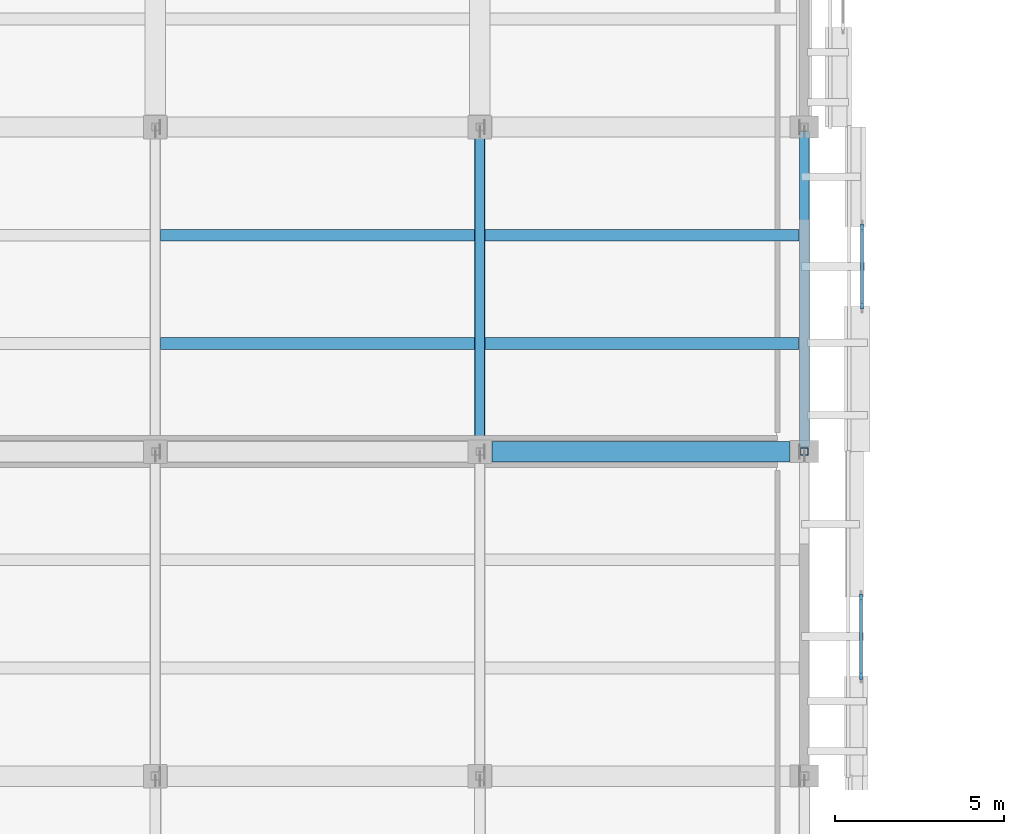
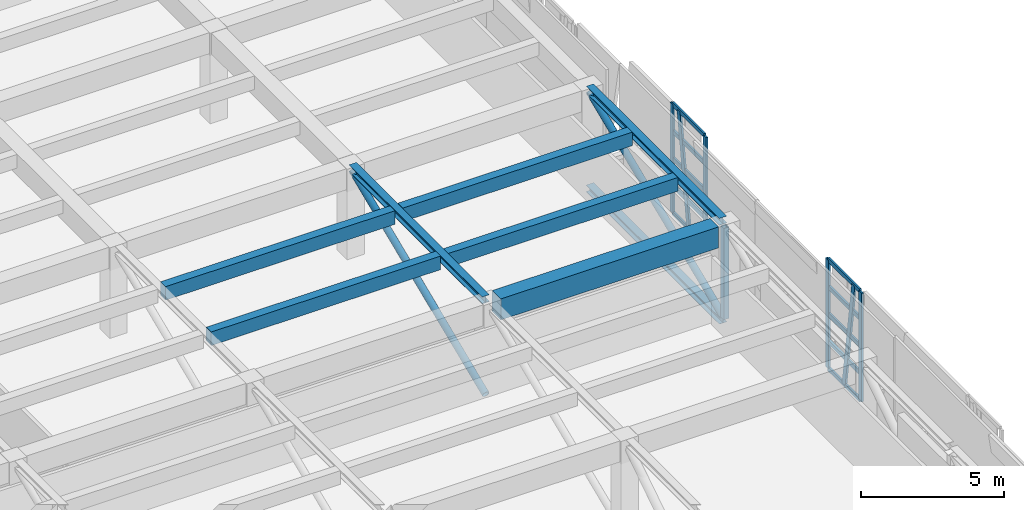
# One storey, part 14 of 62: 22 members, 5 beams, 2 elements without a shape of their own.
"""IFC4 building model written with IfcOpenShell, lengths in metres."""

from ifc_helpers import new_model, si_unit, direction, frame, origin, origin_2d, place, context, subcontext, project, spatial, rectangle, hollow_rectangle, hollow_circle, i_section, extrude, material, layer, layer_set, material_profile, profile_set, type_object, element, aggregate, save


model = new_model("IFC4")

# Units and contexts
model_context = context("Model", 3, precision=1e-05, world=origin(), true_north=direction((0.0, 1.0)))
body_context = subcontext(model_context, "Body", "Model", "MODEL_VIEW")
ifc_project = project(units=[si_unit("LENGTHUNIT", "METRE"), si_unit("AREAUNIT", "SQUARE_METRE"), si_unit("VOLUMEUNIT", "CUBIC_METRE"), si_unit("PLANEANGLEUNIT", "RADIAN"), si_unit("MASSUNIT", "GRAM", prefix="KILO")], contexts=[model_context])

# Site, building, storey
site_placement = place(None, origin())
site = spatial("IfcSite", under=ifc_project, at=site_placement, CompositionType="ELEMENT")
building_placement = place(site_placement, origin())
building = spatial("IfcBuilding", under=site, at=building_placement, Name="Bempovik Park Faculty of Sciences", CompositionType="ELEMENT")
storey_placement = place(building_placement, frame((0.0, 0.0, 9.89990234375)))
storey = spatial("IfcBuildingStorey", under=building, at=storey_placement, Name="L02", CompositionType="ELEMENT", Elevation=9.89990234375)

# Beams
ifc_material_1 = material(Name="Concrete C35/45", Category="concrete")
ifc_material_profile_1 = material_profile(ifc_material_1, rectangle(XDim=0.35009765625, YDim=0.580078125, at=origin_2d()), Name="RC 350x580")
ifc_profile_set_1 = profile_set([ifc_material_profile_1], Name="Concrete C35/45")
beam_type_1 = type_object("IfcBeamType", Name="B-107 RC 350x580", PredefinedType="JOIST", material=ifc_profile_set_1)
for number, where, z_axis, x_axis, name in (
    (1, (98.555908203125, 32.60009765625, 3.610107421875), (1.0, 0.0, 0.0), (0.0, 1.0, 0.0), "L02 Secondary Joist (98.4-108.0, y=32.60)"),
    (2, (98.555908203125, 35.800048828125, 3.610107421875), (1.0, 0.0, 0.0), (0.0, 1.0, 0.0), "L02 Secondary Joist (98.4-108.0, y=35.80)"),
    (3, (108.156005859375, 32.60009765625, 3.610107421875), (1.0, 0.0, 0.0), (0.0, 1.0, 0.0), "L02 Secondary Joist (108.0-117.6, y=32.60)"),
    (4, (108.156005859375, 35.800048828125, 3.610107421875), (1.0, 0.0, 0.0), (0.0, 1.0, 0.0), "L02 Secondary Joist (108.0-117.6, y=35.80)"),
):
    element("IfcBeam", number, at=place(storey_placement, frame(where, z_axis=z_axis, x_axis=x_axis)), inside=storey, type_object=beam_type_1, Name=name, PredefinedType="JOIST", context=body_context, shape_type="SweptSolid", body=[
        extrude(rectangle(XDim=0.35009765625, YDim=0.580078125, at=origin_2d()), origin(), (0.0, 0.0, 1.0), 9.2880859375),
    ])
ifc_material_2 = material(Name="Concrete C40/50", Category="concrete")
ifc_material_profile_2 = material_profile(ifc_material_2, rectangle(XDim=0.60009765625, YDim=0.89990234375, at=origin_2d()), Name="RC 600x900")
ifc_profile_set_2 = profile_set([ifc_material_profile_2], Name="Concrete C40/50")
beam_type_2 = type_object("IfcBeamType", Name="B-115 RC 600x900", PredefinedType="BEAM", material=ifc_profile_set_2)
beam_placement = place(storey_placement, frame((108.35595703125, 29.39990234375, 3.4501953125), z_axis=(1.0, 0.0, 0.0), x_axis=(0.0, 1.0, 0.0)))
element("IfcBeam", 5, at=beam_placement, inside=storey, type_object=beam_type_2, Name="L02 Beam X (108.0-117.6, y=29.4)", PredefinedType="BEAM", context=body_context, shape_type="SweptSolid", body=[
    extrude(rectangle(XDim=0.60009765625, YDim=0.89990234375, at=origin_2d()), origin(), (0.0, 0.0, 1.0), 8.81298828125),
])

# Members
ifc_material_3 = material(Name="Steel S355", Category="steel")
ifc_material_profile_3 = material_profile(ifc_material_3, hollow_rectangle(XDim=0.219970703125, YDim=0.219970703125, WallThickness=0.010009765625, at=origin_2d()), Name="SHS 220x220x10")
ifc_profile_set_3 = profile_set([ifc_material_profile_3], Name="Steel S355")
member_type_1 = type_object("IfcMemberType", Name="M-32 SHS 220x220x10", PredefinedType="POST", material=ifc_profile_set_3)
member_1_placement = place(storey_placement, frame((117.60009765625, 29.39990234375, -0.31396484375), z_axis=(0.0, 0.0, 1.0), x_axis=(1.0, 0.0, 0.0)))
element("IfcMember", 6, at=member_1_placement, inside=storey, type_object=member_type_1, Name="Cantilever Truss 7 L02 Post 4", PredefinedType="POST", context=body_context, shape_type="SweptSolid", body=[
    extrude(hollow_rectangle(XDim=0.219970703125, YDim=0.219970703125, WallThickness=0.010009765625, at=origin_2d()), origin(), (0.0, 0.0, 1.0), 3.907958984375),
])
ifc_material_profile_4 = material_profile(ifc_material_3, i_section(OverallWidth=0.300048828125, OverallDepth=0.300048828125, WebThickness=0.010986328125, FlangeThickness=0.01904296875, at=origin_2d()), Name="HEB 300")
ifc_profile_set_4 = profile_set([ifc_material_profile_4], Name="Steel S355")
member_type_2 = type_object("IfcMemberType", Name="M-55 HEB 300", PredefinedType="CHORD", material=ifc_profile_set_4)
for number, where, z_axis, x_axis, name in (
    (7, (108.0, 29.531982421875, 3.75), (0.0, 1.0, 0.0), (-1.0, 0.0, 0.0), "Cantilever Truss 6 Mid Tie 4"),
    (8, (117.60009765625, 29.531982421875, -0.47998046875), (0.0, 1.0, 0.0), (-1.0, 0.0, 0.0), "Cantilever Truss 7 Bottom Chord 4"),
    (9, (117.60009765625, 29.531982421875, 3.75), (0.0, 1.0, 0.0), (-1.0, 0.0, 0.0), "Cantilever Truss 7 Mid Tie 4"),
):
    element("IfcMember", number, at=place(storey_placement, frame(where, z_axis=z_axis, x_axis=x_axis)), inside=storey, type_object=member_type_2, Name=name, PredefinedType="CHORD", context=body_context, shape_type="SweptSolid", body=[
        extrude(i_section(OverallWidth=0.300048828125, OverallDepth=0.300048828125, WebThickness=0.010986328125, FlangeThickness=0.01904296875, at=origin_2d()), origin(), (0.0, 0.0, 1.0), 9.3359375),
    ])
ifc_material_profile_5 = material_profile(ifc_material_3, hollow_circle(Radius=0.136474609375, WallThickness=0.012451171875, at=origin_2d()), Name="CHS 273x12.5")
ifc_profile_set_5 = profile_set([ifc_material_profile_5], Name="Steel S355")
member_type_3 = type_object("IfcMemberType", Name="M-78 CHS 273x12.5", PredefinedType="BRACE", material=ifc_profile_set_5)
for number, where, z_axis, x_axis, name in (
    (10, (108.0, 29.534912109375, -0.31396484375), (0.0, 0.922358398158, 0.386335327594), (-1.0, 0.0, 0.0), "Cantilever Truss 6 L02 Diagonal 4"),
    (11, (117.60009765625, 29.534912109375, -0.31396484375), (0.0, 0.922358398158, 0.386335327594), (-1.0, 0.0, 0.0), "Cantilever Truss 7 L02 Diagonal 4"),
):
    element("IfcMember", number, at=place(storey_placement, frame(where, z_axis=z_axis, x_axis=x_axis)), inside=storey, type_object=member_type_3, Name=name, PredefinedType="BRACE", context=body_context, shape_type="SweptSolid", body=[
        extrude(hollow_circle(Radius=0.136474609375, WallThickness=0.012451171875, at=origin_2d()), origin(), (0.0, 0.0, 1.0), 10.115478515625),
    ])

# Curtain wall, members
ifc_material_4 = material(Name="Tempered laminated low-E glass", Category="glass")
ifc_layer = layer(ifc_material_4, 0.159912109375)
ifc_layer_set = layer_set([ifc_layer], Name="Tempered laminated low-E glass")
curtain_wall_type = type_object("IfcCurtainWallType", Name="CW-61 Curtain 2400x4200", PredefinedType="USERDEFINED", material=ifc_layer_set)
curtain_wall_1_placement = place(storey_placement, origin())
curtain_wall_1 = element("IfcCurtainWall", 12, at=curtain_wall_1_placement, inside=storey, type_object=curtain_wall_type, Name="L02 Crystal Slantwise Light Fold (117.6,19.8)", ObjectType="UNITISED CURTAIN WALL", PredefinedType="USERDEFINED")
ifc_material_5 = material(Name="Anodised architectural bronze", Category="aluminium")
ifc_material_profile_6 = material_profile(ifc_material_5, rectangle(XDim=0.080078125, YDim=0.219970703125, at=origin_2d()), Name="ALU-M 80x220")
ifc_profile_set_6 = profile_set([ifc_material_profile_6], Name="Anodised architectural bronze")
member_type_4 = type_object("IfcMemberType", Name="ML-29 ALU-M 80x220", PredefinedType="MULLION", material=ifc_profile_set_6)
member_2_placement = place(storey_placement, frame((119.27587890625, 22.77490234375, -0.419921875), z_axis=(0.0, 0.0, 1.0), x_axis=(1.0, 0.0, 0.0)))
member_2 = element("IfcMember", 13, at=member_2_placement, type_object=member_type_4, Name="CW-FOLD-L02-1176-198 Mullion 0", PredefinedType="MULLION", context=body_context, shape_type="SweptSolid", body=[
    extrude(rectangle(XDim=0.080078125, YDim=0.219970703125, at=origin_2d()), origin(), (0.0, 0.0, 1.0), 4.659912109375),
])
member_3_placement = place(storey_placement, frame((119.27587890625, 23.925048828125, -0.419921875), z_axis=(0.0, -0.144381979777, 0.989522028009), x_axis=(1.0, 0.0, 0.0)))
member_3 = element("IfcMember", 14, at=member_3_placement, type_object=member_type_4, Name="CW-FOLD-L02-1176-198 Mullion 1", PredefinedType="MULLION", context=body_context, shape_type="SweptSolid", body=[
    extrude(rectangle(XDim=0.080078125, YDim=0.219970703125, at=origin_2d()), origin(), (0.0, 0.0, 1.0), 4.709228515625),
])
member_4_placement = place(storey_placement, frame((119.27587890625, 25.074951171875, -0.419921875), z_axis=(0.0, 0.0, 1.0), x_axis=(1.0, 0.0, 0.0)))
member_4 = element("IfcMember", 15, at=member_4_placement, type_object=member_type_4, Name="CW-FOLD-L02-1176-198 Mullion 2", PredefinedType="MULLION", context=body_context, shape_type="SweptSolid", body=[
    extrude(rectangle(XDim=0.080078125, YDim=0.219970703125, at=origin_2d()), origin(), (0.0, 0.0, 1.0), 4.659912109375),
])

curtain_wall_2_placement = place(storey_placement, origin())
curtain_wall_2 = element("IfcCurtainWall", 16, at=curtain_wall_2_placement, inside=storey, type_object=curtain_wall_type, Name="L02 Crystal Slantwise Light Fold (117.6,29.4)", ObjectType="UNITISED CURTAIN WALL", PredefinedType="USERDEFINED")
member_5_placement = place(storey_placement, frame((119.30810546875, 33.72509765625, -0.419921875), z_axis=(0.0, 0.0, 1.0), x_axis=(1.0, 0.0, 0.0)))
member_5 = element("IfcMember", 17, at=member_5_placement, type_object=member_type_4, Name="CW-FOLD-L02-1176-294 Mullion 0", PredefinedType="MULLION", context=body_context, shape_type="SweptSolid", body=[
    extrude(rectangle(XDim=0.080078125, YDim=0.219970703125, at=origin_2d()), origin(), (0.0, 0.0, 1.0), 4.659912109375),
])
member_6_placement = place(storey_placement, frame((119.30810546875, 34.875, -0.419921875), z_axis=(0.0, 0.144381979777, 0.989522028009), x_axis=(-1.0, 0.0, 0.0)))
member_6 = element("IfcMember", 18, at=member_6_placement, type_object=member_type_4, Name="CW-FOLD-L02-1176-294 Mullion 1", PredefinedType="MULLION", context=body_context, shape_type="SweptSolid", body=[
    extrude(rectangle(XDim=0.080078125, YDim=0.219970703125, at=origin_2d()), origin(), (0.0, 0.0, 1.0), 4.709228515625),
])
member_7_placement = place(storey_placement, frame((119.30810546875, 36.02490234375, -0.419921875), z_axis=(0.0, 0.0, 1.0), x_axis=(1.0, 0.0, 0.0)))
member_7 = element("IfcMember", 19, at=member_7_placement, type_object=member_type_4, Name="CW-FOLD-L02-1176-294 Mullion 2", PredefinedType="MULLION", context=body_context, shape_type="SweptSolid", body=[
    extrude(rectangle(XDim=0.080078125, YDim=0.219970703125, at=origin_2d()), origin(), (0.0, 0.0, 1.0), 4.659912109375),
])

# Member
ifc_material_profile_7 = material_profile(ifc_material_5, rectangle(XDim=0.080078125, YDim=0.179931640625, at=origin_2d()), Name="ALU-T 80x180")
ifc_profile_set_7 = profile_set([ifc_material_profile_7], Name="Anodised architectural bronze")
member_type_5 = type_object("IfcMemberType", Name="TR-29 ALU-T 80x180", PredefinedType="USERDEFINED", material=ifc_profile_set_7)
member_8_placement = place(storey_placement, frame((119.27587890625, 22.81494140625, -0.419921875), z_axis=(0.0, 1.0, 0.0), x_axis=(-1.0, 0.0, 0.0)))
member_8 = element("IfcMember", 20, at=member_8_placement, type_object=member_type_5, Name="CW-FOLD-L02-1176-198 Transom 0", ObjectType="TRANSOM", PredefinedType="USERDEFINED", context=body_context, shape_type="SweptSolid", body=[
    extrude(rectangle(XDim=0.080078125, YDim=0.179931640625, at=origin_2d()), origin(), (0.0, 0.0, 1.0), 2.219970703125),
])

member_9_placement = place(storey_placement, frame((119.27587890625, 22.81494140625, 0.7451171875), z_axis=(0.0, 1.0, 0.0), x_axis=(-1.0, 0.0, 0.0)))
member_9 = element("IfcMember", 21, at=member_9_placement, type_object=member_type_5, Name="CW-FOLD-L02-1176-198 Transom 1", ObjectType="TRANSOM", PredefinedType="USERDEFINED", context=body_context, shape_type="SweptSolid", body=[
    extrude(rectangle(XDim=0.080078125, YDim=0.179931640625, at=origin_2d()), origin(), (0.0, 0.0, 1.0), 2.219970703125),
])

member_10_placement = place(storey_placement, frame((119.27587890625, 22.81494140625, 1.91015625), z_axis=(0.0, 1.0, 0.0), x_axis=(-1.0, 0.0, 0.0)))
member_10 = element("IfcMember", 22, at=member_10_placement, type_object=member_type_5, Name="CW-FOLD-L02-1176-198 Transom 2", ObjectType="TRANSOM", PredefinedType="USERDEFINED", context=body_context, shape_type="SweptSolid", body=[
    extrude(rectangle(XDim=0.080078125, YDim=0.179931640625, at=origin_2d()), origin(), (0.0, 0.0, 1.0), 2.219970703125),
])

member_11_placement = place(storey_placement, frame((119.27587890625, 22.81494140625, 3.0751953125), z_axis=(0.0, 1.0, 0.0), x_axis=(-1.0, 0.0, 0.0)))
member_11 = element("IfcMember", 23, at=member_11_placement, type_object=member_type_5, Name="CW-FOLD-L02-1176-198 Transom 3", ObjectType="TRANSOM", PredefinedType="USERDEFINED", context=body_context, shape_type="SweptSolid", body=[
    extrude(rectangle(XDim=0.080078125, YDim=0.179931640625, at=origin_2d()), origin(), (0.0, 0.0, 1.0), 2.219970703125),
])

member_12_placement = place(storey_placement, frame((119.27587890625, 22.81494140625, 4.239990234375), z_axis=(0.0, 1.0, 0.0), x_axis=(-1.0, 0.0, 0.0)))
member_12 = element("IfcMember", 24, at=member_12_placement, type_object=member_type_5, Name="CW-FOLD-L02-1176-198 Transom 4", ObjectType="TRANSOM", PredefinedType="USERDEFINED", context=body_context, shape_type="SweptSolid", body=[
    extrude(rectangle(XDim=0.080078125, YDim=0.179931640625, at=origin_2d()), origin(), (0.0, 0.0, 1.0), 2.219970703125),
])

aggregate(curtain_wall_1, [member_2, member_3, member_4, member_8, member_9, member_10, member_11, member_12])

member_13_placement = place(storey_placement, frame((119.30810546875, 33.764892578125, -0.419921875), z_axis=(0.0, 1.0, 0.0), x_axis=(-1.0, 0.0, 0.0)))
member_13 = element("IfcMember", 25, at=member_13_placement, type_object=member_type_5, Name="CW-FOLD-L02-1176-294 Transom 0", ObjectType="TRANSOM", PredefinedType="USERDEFINED", context=body_context, shape_type="SweptSolid", body=[
    extrude(rectangle(XDim=0.080078125, YDim=0.179931640625, at=origin_2d()), origin(), (0.0, 0.0, 1.0), 2.22021484375),
])

member_14_placement = place(storey_placement, frame((119.30810546875, 33.764892578125, 0.7451171875), z_axis=(0.0, 1.0, 0.0), x_axis=(-1.0, 0.0, 0.0)))
member_14 = element("IfcMember", 26, at=member_14_placement, type_object=member_type_5, Name="CW-FOLD-L02-1176-294 Transom 1", ObjectType="TRANSOM", PredefinedType="USERDEFINED", context=body_context, shape_type="SweptSolid", body=[
    extrude(rectangle(XDim=0.080078125, YDim=0.179931640625, at=origin_2d()), origin(), (0.0, 0.0, 1.0), 2.22021484375),
])

member_15_placement = place(storey_placement, frame((119.30810546875, 33.764892578125, 1.91015625), z_axis=(0.0, 1.0, 0.0), x_axis=(-1.0, 0.0, 0.0)))
member_15 = element("IfcMember", 27, at=member_15_placement, type_object=member_type_5, Name="CW-FOLD-L02-1176-294 Transom 2", ObjectType="TRANSOM", PredefinedType="USERDEFINED", context=body_context, shape_type="SweptSolid", body=[
    extrude(rectangle(XDim=0.080078125, YDim=0.179931640625, at=origin_2d()), origin(), (0.0, 0.0, 1.0), 2.22021484375),
])

member_16_placement = place(storey_placement, frame((119.30810546875, 33.764892578125, 3.0751953125), z_axis=(0.0, 1.0, 0.0), x_axis=(-1.0, 0.0, 0.0)))
member_16 = element("IfcMember", 28, at=member_16_placement, type_object=member_type_5, Name="CW-FOLD-L02-1176-294 Transom 3", ObjectType="TRANSOM", PredefinedType="USERDEFINED", context=body_context, shape_type="SweptSolid", body=[
    extrude(rectangle(XDim=0.080078125, YDim=0.179931640625, at=origin_2d()), origin(), (0.0, 0.0, 1.0), 2.22021484375),
])

member_17_placement = place(storey_placement, frame((119.30810546875, 33.764892578125, 4.239990234375), z_axis=(0.0, 1.0, 0.0), x_axis=(-1.0, 0.0, 0.0)))
member_17 = element("IfcMember", 29, at=member_17_placement, type_object=member_type_5, Name="CW-FOLD-L02-1176-294 Transom 4", ObjectType="TRANSOM", PredefinedType="USERDEFINED", context=body_context, shape_type="SweptSolid", body=[
    extrude(rectangle(XDim=0.080078125, YDim=0.179931640625, at=origin_2d()), origin(), (0.0, 0.0, 1.0), 2.22021484375),
])

aggregate(curtain_wall_2, [member_5, member_6, member_7, member_13, member_14, member_15, member_16, member_17])

save(model, "model.ifc")
